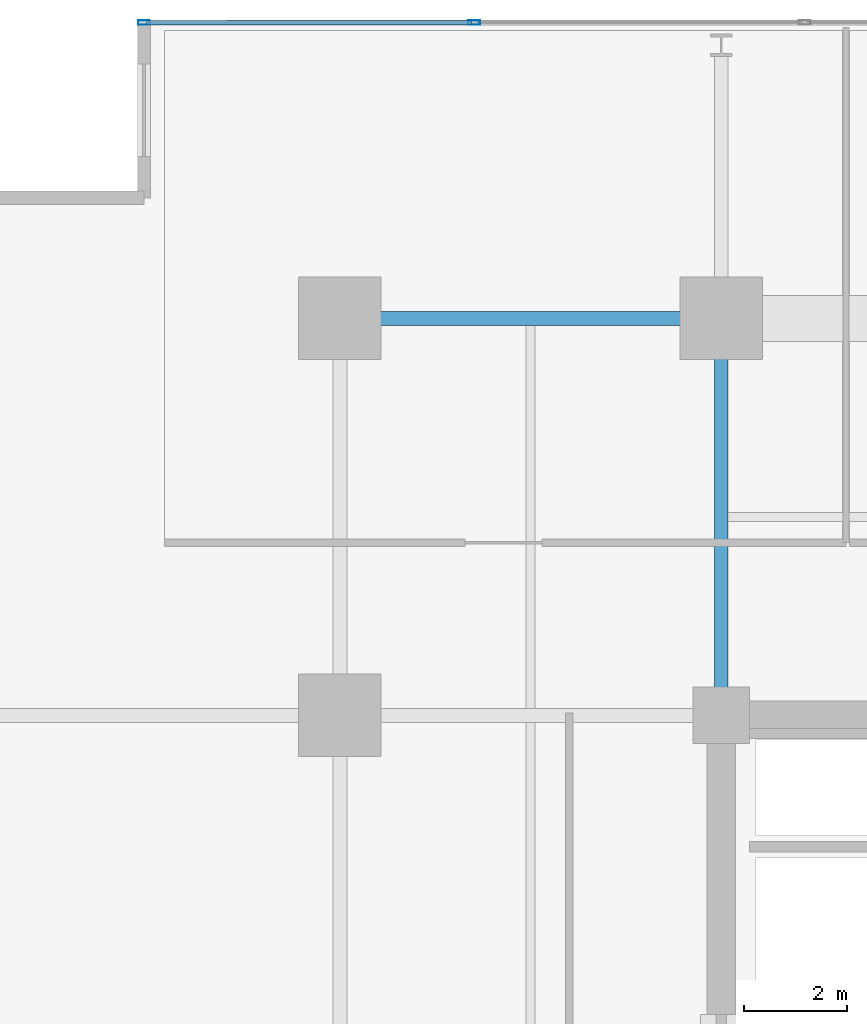
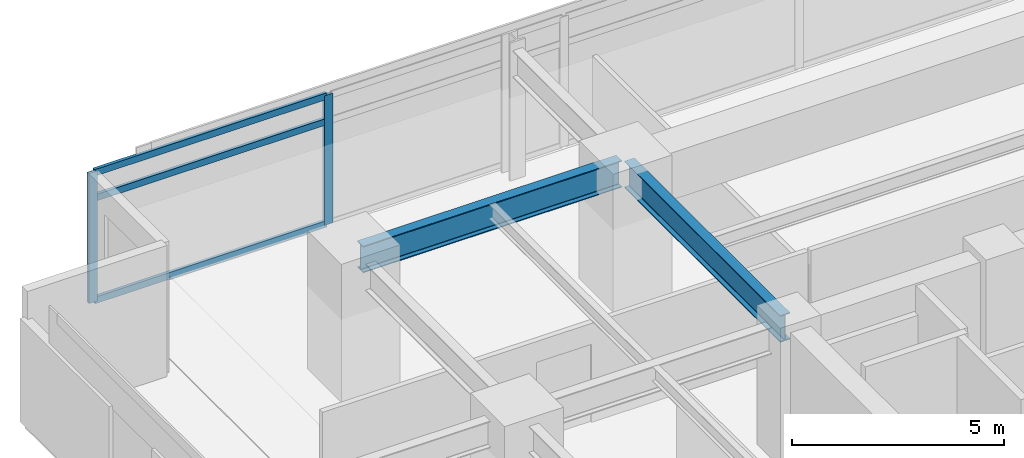
# One storey, part 6 of 23: 5 members, 2 beams, 1 element without a shape of its own.
"""IFC4 building model written with IfcOpenShell, lengths in metres."""

from ifc_helpers import new_model, si_unit, direction, frame, origin, origin_2d, place, context, subcontext, project, spatial, hollow_rectangle, i_section, extrude, material, material_profile, profile_set, type_object, element, aggregate, save


model = new_model("IFC4")

# Units and contexts
model_context = context("Model", 3, precision=1e-05, world=origin(), true_north=direction((0.0, 1.0)))
body_context = subcontext(model_context, "Body", "Model", "MODEL_VIEW")
ifc_project = project(units=[si_unit("LENGTHUNIT", "METRE"), si_unit("AREAUNIT", "SQUARE_METRE"), si_unit("VOLUMEUNIT", "CUBIC_METRE"), si_unit("PLANEANGLEUNIT", "RADIAN"), si_unit("MASSUNIT", "GRAM", prefix="KILO")], contexts=[model_context])

# Site, building, storey
site_placement = place(None, origin())
site = spatial("IfcSite", under=ifc_project, at=site_placement, CompositionType="ELEMENT")
building_placement = place(site_placement, origin())
building = spatial("IfcBuilding", under=site, at=building_placement, Name="Kovane Verandah Tower", CompositionType="ELEMENT")
storey_placement = place(building_placement, frame((0.0, 0.0, 140.39990234375)))
storey = spatial("IfcBuildingStorey", under=building, at=storey_placement, Name="L32", CompositionType="ELEMENT", Elevation=140.39990234375)

# Beams
ifc_material_1 = material(Name="Steel S355", Category="steel")
ifc_material_profile_1 = material_profile(ifc_material_1, i_section(OverallWidth=0.26806640625, OverallDepth=0.769775390625, WebThickness=0.015625, FlangeThickness=0.025390625, FilletRadius=0.0166015625, at=origin_2d()), Name="UB762x267x197")
ifc_profile_set_1 = profile_set([ifc_material_profile_1], Name="Steel S355")
beam_type = type_object("IfcBeamType", Name="BM-UB762x197", PredefinedType="BEAM", material=ifc_profile_set_1)
beam_1_placement = place(storey_placement, frame((21.780029296875, 44.199951171875, 3.39013671875), z_axis=(1.0, 0.0, 0.0), x_axis=(0.0, 1.0, 0.0)))
element("IfcBeam", 1, at=beam_1_placement, inside=storey, type_object=beam_type, Name="L32 Primary Tower Girder G-RN1", PredefinedType="BEAM", context=body_context, shape_type="SweptSolid", body=[
    extrude(i_section(OverallWidth=0.26806640625, OverallDepth=0.769775390625, WebThickness=0.015625, FlangeThickness=0.025390625, FilletRadius=0.0166015625, at=origin_2d()), origin(), (0.0, 0.0, 1.0), 7.0400390625),
])
beam_2_placement = place(storey_placement, frame((29.0, 36.679931640625, 3.39013671875), z_axis=(0.0, 1.0, 0.0), x_axis=(-1.0, 0.0, 0.0)))
element("IfcBeam", 2, at=beam_2_placement, inside=storey, type_object=beam_type, Name="L32 Primary Tower Girder G-N1", PredefinedType="BEAM", context=body_context, shape_type="SweptSolid", body=[
    extrude(i_section(OverallWidth=0.26806640625, OverallDepth=0.769775390625, WebThickness=0.015625, FlangeThickness=0.025390625, FilletRadius=0.0166015625, at=origin_2d()), origin(), (0.0, 0.0, 1.0), 7.340087890625),
])

# Curtain wall, members
ifc_material_2 = material(Name="Champagne Anodised Aluminium Frame with Low-E Clear Laminated Glass", Category="aluminium")
curtain_wall_type = type_object("IfcCurtainWallType", Name="CW-SYS-03-MID", PredefinedType="NOTDEFINED", material=ifc_material_2)
curtain_wall_placement = place(storey_placement, origin())
curtain_wall = element("IfcCurtainWall", 3, at=curtain_wall_placement, inside=storey, type_object=curtain_wall_type, Name="L32 N Unitised Curtain Wall", PredefinedType="NOTDEFINED")
ifc_material_3 = material(Name="Champagne Anodised Aluminium 6063-T6", Category="aluminium")
ifc_material_profile_2 = material_profile(ifc_material_3, hollow_rectangle(XDim=0.0849609375, YDim=0.22998046875, WallThickness=0.00390625, at=origin_2d()), Name="AL85x230x4")
ifc_profile_set_2 = profile_set([ifc_material_profile_2], Name="Champagne Anodised Aluminium 6063-T6")
member_type_1 = type_object("IfcMemberType", Name="CW-MUL-85x230", PredefinedType="MULLION", material=ifc_profile_set_2)
member_1_placement = place(storey_placement, frame((24.20703125, 49.94091796875, 0.02001953125), z_axis=(0.0, 0.0, 1.0), x_axis=(0.0, 1.0, 0.0)))
member_1 = element("IfcMember", 4, at=member_1_placement, type_object=member_type_1, Name="L32 N Unitised Curtain Wall Mullion 7", PredefinedType="MULLION", context=body_context, shape_type="SweptSolid", body=[
    extrude(hollow_rectangle(XDim=0.0849609375, YDim=0.22998046875, WallThickness=0.00390625, at=origin_2d()), origin(), (0.0, 0.0, 1.0), 3.735107421875),
])
member_2_placement = place(storey_placement, frame((17.798828125, 49.94091796875, 0.02001953125), z_axis=(0.0, 0.0, 1.0), x_axis=(0.0, 1.0, 0.0)))
member_2 = element("IfcMember", 5, at=member_2_placement, type_object=member_type_1, Name="L32 N Unitised Curtain Wall Mullion 8", PredefinedType="MULLION", context=body_context, shape_type="SweptSolid", body=[
    extrude(hollow_rectangle(XDim=0.0849609375, YDim=0.22998046875, WallThickness=0.00390625, at=origin_2d()), origin(), (0.0, 0.0, 1.0), 3.735107421875),
])
ifc_material_profile_3 = material_profile(ifc_material_3, hollow_rectangle(XDim=0.0849609375, YDim=0.18994140625, WallThickness=0.00390625, at=origin_2d()), Name="AL85x190x4")
ifc_profile_set_3 = profile_set([ifc_material_profile_3], Name="Champagne Anodised Aluminium 6063-T6")
member_type_2 = type_object("IfcMemberType", Name="CW-TRN-85x190", PredefinedType="USERDEFINED", material=ifc_profile_set_3)
member_3_placement = place(storey_placement, frame((24.156982421875, 49.94091796875, 0.050048828125), z_axis=(-1.0, 0.0, 0.0), x_axis=(0.0, -1.0, 0.0)))
member_3 = element("IfcMember", 6, at=member_3_placement, type_object=member_type_2, Name="L32 N Unitised Curtain Wall Transom TB Bay 7", ObjectType="TRANSOM", PredefinedType="USERDEFINED", context=body_context, shape_type="SweptSolid", body=[
    extrude(hollow_rectangle(XDim=0.0849609375, YDim=0.18994140625, WallThickness=0.00390625, at=origin_2d()), origin(), (0.0, 0.0, 1.0), 6.30810546875),
])
member_4_placement = place(storey_placement, frame((24.156982421875, 49.94091796875, 2.9951171875), z_axis=(-1.0, 0.0, 0.0), x_axis=(0.0, -1.0, 0.0)))
member_4 = element("IfcMember", 7, at=member_4_placement, type_object=member_type_2, Name="L32 N Unitised Curtain Wall Transom TM Bay 7", ObjectType="TRANSOM", PredefinedType="USERDEFINED", context=body_context, shape_type="SweptSolid", body=[
    extrude(hollow_rectangle(XDim=0.0849609375, YDim=0.18994140625, WallThickness=0.00390625, at=origin_2d()), origin(), (0.0, 0.0, 1.0), 6.30810546875),
])
member_5_placement = place(storey_placement, frame((24.156982421875, 49.94091796875, 3.72509765625), z_axis=(-1.0, 0.0, 0.0), x_axis=(0.0, -1.0, 0.0)))
member_5 = element("IfcMember", 8, at=member_5_placement, type_object=member_type_2, Name="L32 N Unitised Curtain Wall Transom TT Bay 7", ObjectType="TRANSOM", PredefinedType="USERDEFINED", context=body_context, shape_type="SweptSolid", body=[
    extrude(hollow_rectangle(XDim=0.0849609375, YDim=0.18994140625, WallThickness=0.00390625, at=origin_2d()), origin(), (0.0, 0.0, 1.0), 6.30810546875),
])
aggregate(curtain_wall, [member_1, member_2, member_3, member_4, member_5])

save(model, "model.ifc")
